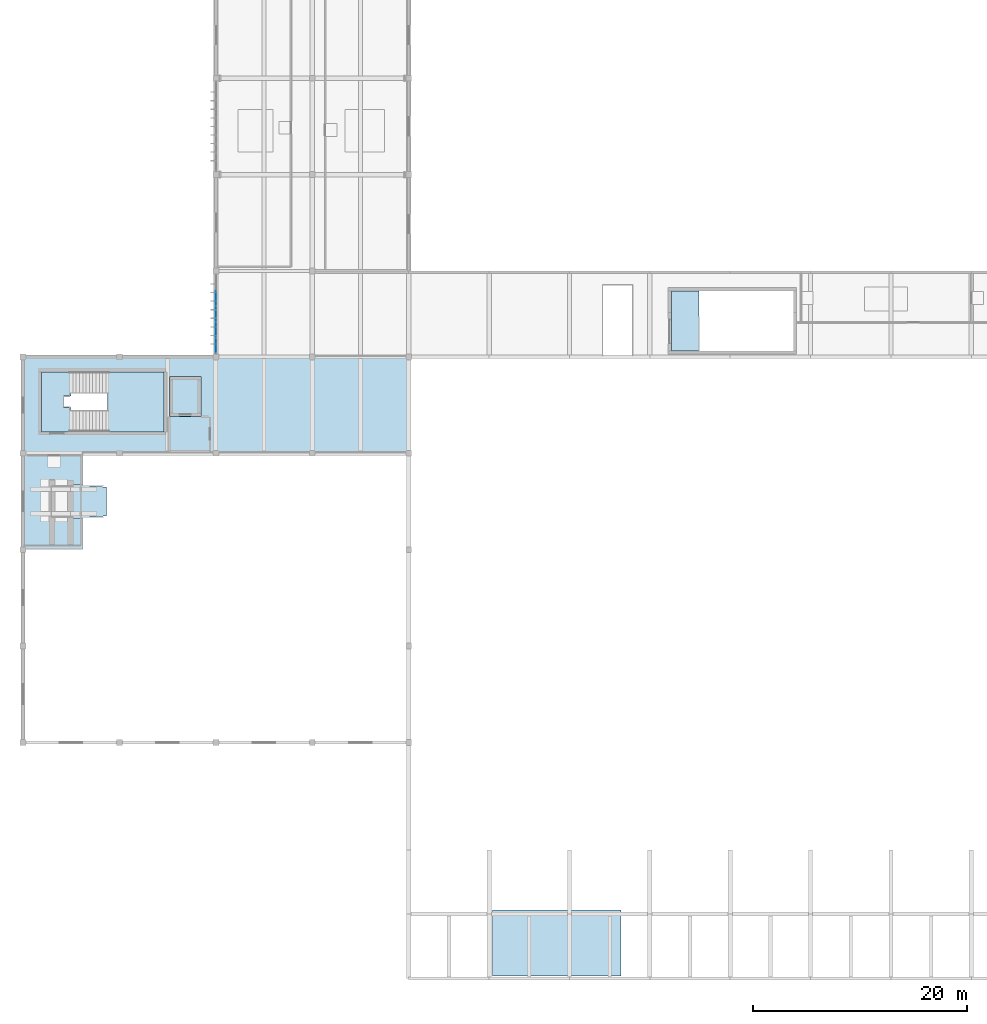
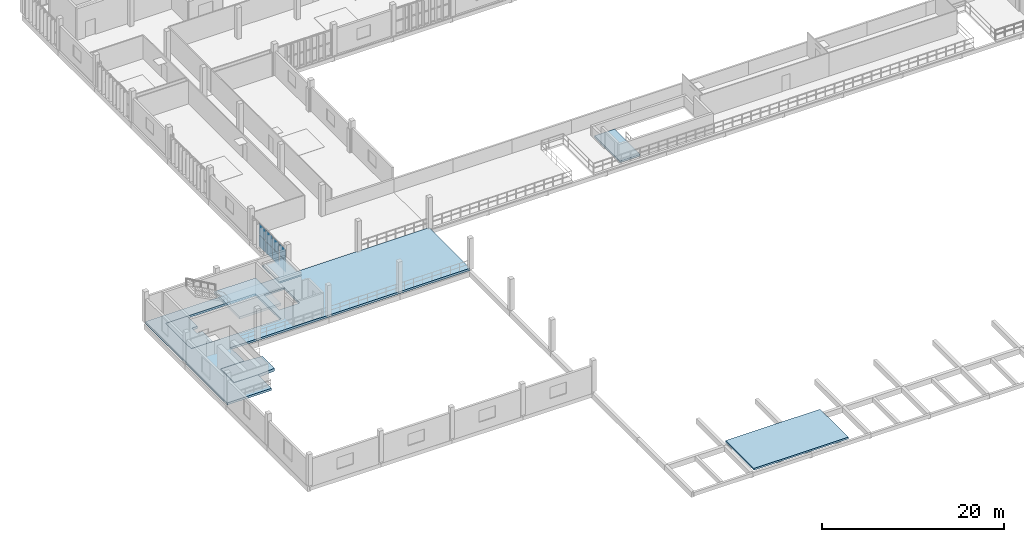
# One storey, part 32 of 61: 8 plates, 7 slabs, 2 elements without a shape of their own.
"""IFC4 building model written with IfcOpenShell, lengths in metres."""

from ifc_helpers import new_model, si_unit, direction, frame, origin, origin_2d, place, context, subcontext, project, spatial, polyline, rectangle, outline, extrude, material, layer, layer_set, type_object, element, aggregate, save


model = new_model("IFC4")

# Units and contexts
model_context = context("Model", 3, precision=1e-05, world=origin(), true_north=direction((0.0, 1.0)))
body_context = subcontext(model_context, "Body", "Model", "MODEL_VIEW")
ifc_project = project(units=[si_unit("LENGTHUNIT", "METRE"), si_unit("AREAUNIT", "SQUARE_METRE"), si_unit("VOLUMEUNIT", "CUBIC_METRE"), si_unit("PLANEANGLEUNIT", "RADIAN"), si_unit("MASSUNIT", "GRAM", prefix="KILO")], contexts=[model_context])

# Site, building, storey
site_placement = place(None, origin())
site = spatial("IfcSite", under=ifc_project, at=site_placement, CompositionType="ELEMENT")
building_placement = place(site_placement, origin())
building = spatial("IfcBuilding", under=site, at=building_placement, Name="Vourika Railside Aquatics Centre", CompositionType="ELEMENT")
storey_placement = place(building_placement, frame((0.0, 0.0, 9.300048828125)))
storey = spatial("IfcBuildingStorey", under=building, at=storey_placement, Name="L02", CompositionType="ELEMENT", Elevation=9.300048828125)

# Curtain wall, plates
ifc_material_1 = material(Name="Anodized thermally broken aluminium", Category="aluminium")
curtain_wall_type = type_object("IfcCurtainWallType", Name="CW-FIT2", PredefinedType="NOTDEFINED", material=ifc_material_1)
curtain_wall_placement = place(storey_placement, origin())
curtain_wall = element("IfcCurtainWall", 1, at=curtain_wall_placement, inside=storey, type_object=curtain_wall_type, Name="Fitness West Boulevard Curtain Wall L02-1", PredefinedType="NOTDEFINED")
ifc_material_2 = material(Name="Low-E solar-control laminated double glazing", Category="glass")
ifc_layer_1 = layer(ifc_material_2, 0.02392578125, Name="CWP-FIT2")
ifc_layer_set_1 = layer_set([ifc_layer_1], Name="Low-E solar-control laminated double glazing")
plate_type = type_object("IfcPlateType", Name="CWP-FIT2", PredefinedType="CURTAIN_PANEL", material=ifc_layer_set_1)
plate_1_placement = place(storey_placement, frame((18.0, 63.47802734375, 0.06005859375), z_axis=(0.0, 0.0, 1.0), x_axis=(0.0, -1.0, 0.0)))
plate_1 = element("IfcPlate", 2, at=plate_1_placement, type_object=plate_type, Name="CW16 panel 2.1", PredefinedType="CURTAIN_PANEL", context=body_context, shape_type="SweptSolid", body=[
    extrude(rectangle(XDim=1.41796875, YDim=0.02392578125, at=origin_2d()), origin(), (0.0, 0.0, 1.0), 1.52001953125),
])
plate_2_placement = place(storey_placement, frame((18.0, 63.47802734375, 1.639892578125), z_axis=(0.0, 0.0, 1.0), x_axis=(0.0, -1.0, 0.0)))
plate_2 = element("IfcPlate", 3, at=plate_2_placement, type_object=plate_type, Name="CW16 panel 2.2", PredefinedType="CURTAIN_PANEL", context=body_context, shape_type="SweptSolid", body=[
    extrude(rectangle(XDim=1.41796875, YDim=0.02392578125, at=origin_2d()), origin(), (0.0, 0.0, 1.0), 1.52001953125),
])
plate_3_placement = place(storey_placement, frame((18.0, 62.0, 0.06005859375), z_axis=(0.0, 0.0, 1.0), x_axis=(0.0, -1.0, 0.0)))
plate_3 = element("IfcPlate", 4, at=plate_3_placement, type_object=plate_type, Name="CW16 panel 3.1", PredefinedType="CURTAIN_PANEL", context=body_context, shape_type="SweptSolid", body=[
    extrude(rectangle(XDim=1.41796875, YDim=0.02392578125, at=origin_2d()), origin(), (0.0, 0.0, 1.0), 1.52001953125),
])
plate_4_placement = place(storey_placement, frame((18.0, 62.0, 1.639892578125), z_axis=(0.0, 0.0, 1.0), x_axis=(0.0, -1.0, 0.0)))
plate_4 = element("IfcPlate", 5, at=plate_4_placement, type_object=plate_type, Name="CW16 panel 3.2", PredefinedType="CURTAIN_PANEL", context=body_context, shape_type="SweptSolid", body=[
    extrude(rectangle(XDim=1.41796875, YDim=0.02392578125, at=origin_2d()), origin(), (0.0, 0.0, 1.0), 1.52001953125),
])
plate_5_placement = place(storey_placement, frame((18.0, 60.52197265625, 0.06005859375), z_axis=(0.0, 0.0, 1.0), x_axis=(0.0, -1.0, 0.0)))
plate_5 = element("IfcPlate", 6, at=plate_5_placement, type_object=plate_type, Name="CW16 panel 4.1", PredefinedType="CURTAIN_PANEL", context=body_context, shape_type="SweptSolid", body=[
    extrude(rectangle(XDim=1.41796875, YDim=0.02392578125, at=origin_2d()), origin(), (0.0, 0.0, 1.0), 1.52001953125),
])
plate_6_placement = place(storey_placement, frame((18.0, 60.52197265625, 1.639892578125), z_axis=(0.0, 0.0, 1.0), x_axis=(0.0, -1.0, 0.0)))
plate_6 = element("IfcPlate", 7, at=plate_6_placement, type_object=plate_type, Name="CW16 panel 4.2", PredefinedType="CURTAIN_PANEL", context=body_context, shape_type="SweptSolid", body=[
    extrude(rectangle(XDim=1.41796875, YDim=0.02392578125, at=origin_2d()), origin(), (0.0, 0.0, 1.0), 1.52001953125),
])
plate_7_placement = place(storey_placement, frame((18.0, 59.05908203125, 0.06005859375), z_axis=(0.0, 0.0, 1.0), x_axis=(0.0, -1.0, 0.0)))
plate_7 = element("IfcPlate", 8, at=plate_7_placement, type_object=plate_type, Name="CW16 panel 5.1", PredefinedType="CURTAIN_PANEL", context=body_context, shape_type="SweptSolid", body=[
    extrude(rectangle(XDim=1.387939453125, YDim=0.02392578125, at=origin_2d()), origin(), (0.0, 0.0, 1.0), 1.52001953125),
])
plate_8_placement = place(storey_placement, frame((18.0, 59.05908203125, 1.639892578125), z_axis=(0.0, 0.0, 1.0), x_axis=(0.0, -1.0, 0.0)))
plate_8 = element("IfcPlate", 9, at=plate_8_placement, type_object=plate_type, Name="CW16 panel 5.2", PredefinedType="CURTAIN_PANEL", context=body_context, shape_type="SweptSolid", body=[
    extrude(rectangle(XDim=1.387939453125, YDim=0.02392578125, at=origin_2d()), origin(), (0.0, 0.0, 1.0), 1.52001953125),
])
aggregate(curtain_wall, [plate_1, plate_2, plate_3, plate_4, plate_5, plate_6, plate_7, plate_8])

# Slabs
ifc_material_3 = material(Name="Concrete C35/45", Category="concrete")
ifc_layer_2 = layer(ifc_material_3, 0.219970703125, Name="SLB-CORE-220")
ifc_layer_set_2 = layer_set([ifc_layer_2], Name="Concrete C35/45")
slab_type_1 = type_object("IfcSlabType", Name="SLB-CORE-220", PredefinedType="FLOOR", material=ifc_layer_set_2)
slab_1_placement = place(storey_placement, frame((0.0, 0.0, -0.219970703125)))
element("IfcSlab", 10, at=slab_1_placement, inside=storey, type_object=slab_type_1, Name="Grandstand Vomitory Exit Stair ST08 L02 Vomitory Arrival Deck", PredefinedType="FLOOR", context=body_context, shape_type="SweptSolid", body=[
    extrude(outline(polyline([(60.5, 58.550048828125), (63.080078125, 58.550048828125), (63.080078125, 64.14990234375), (60.5, 64.14990234375), (60.5, 58.550048828125)])), origin(), (0.0, 0.0, 1.0), 0.219970703125),
])
ifc_layer_3 = layer(ifc_material_3, 0.31005859375, Name="SLB-CORE-310")
ifc_layer_set_3 = layer_set([ifc_layer_3], Name="Concrete C35/45")
slab_type_2 = type_object("IfcSlabType", Name="SLB-CORE-310", PredefinedType="FLOOR", material=ifc_layer_set_3)
slab_2_placement = place(storey_placement, frame((0.0, 0.0, -0.31005859375)))
element("IfcSlab", 11, at=slab_2_placement, inside=storey, type_object=slab_type_2, Name="Protected Exit Stair Core ST04 Core Floor Landing (L02)", PredefinedType="FLOOR", context=body_context, shape_type="SweptSolid", body=[
    extrude(outline(polyline([(1.75, 51.0), (4.489990234375, 51.0), (4.489990234375, 53.25), (3.800048828125, 53.25), (3.800048828125, 54.35009765625), (4.489990234375, 54.35009765625), (4.489990234375, 56.60009765625), (1.75, 56.60009765625), (1.75, 51.0)])), origin(), (0.0, 0.0, 1.0), 0.31005859375),
])
ifc_material_4 = material(Name="Concrete C40/50", Category="concrete")
ifc_layer_4 = layer(ifc_material_4, 0.3701171875, Name="SLB-DP-370")
ifc_layer_set_4 = layer_set([ifc_layer_4], Name="Concrete C40/50")
slab_type_3 = type_object("IfcSlabType", Name="SLB-DP-370", PredefinedType="USERDEFINED", material=ifc_layer_set_4)
slab_3_placement = place(storey_placement, frame((0.0, 0.0, -0.3701171875)))
element("IfcSlab", 12, at=slab_3_placement, inside=storey, type_object=slab_type_3, Name="Diving Platform 10.0 m", ObjectType="DIVING PLATFORM", PredefinedType="USERDEFINED", context=body_context, shape_type="SweptSolid", body=[
    extrude(outline(polyline([(2.60009765625, 43.0), (5.800048828125, 43.0), (7.800048828125, 43.14990234375), (7.800048828125, 45.85009765625), (5.800048828125, 46.0), (2.60009765625, 46.0), (2.60009765625, 43.0)])), origin(), (0.0, 0.0, 1.0), 0.3701171875),
])
ifc_layer_5 = layer(ifc_material_3, 0.280029296875, Name="SLB-FLOOR-280")
ifc_layer_set_5 = layer_set([ifc_layer_5], Name="Concrete C35/45")
slab_type_4 = type_object("IfcSlabType", Name="SLB-FLOOR-280", PredefinedType="FLOOR", material=ifc_layer_set_5)
slab_4_placement = place(storey_placement, frame((0.0, 0.0, -0.280029296875)))
element("IfcSlab", 13, at=slab_4_placement, inside=storey, type_object=slab_type_4, Name="L02 Floor Slab (v2_gal10m)", PredefinedType="FLOOR", context=body_context, shape_type="SweptSolid", body=[
    extrude(outline(polyline([(0.0, 49.0), (0.0, 58.0), (36.0, 58.0), (36.0, 49.0), (5.60009765625, 49.0), (5.60009765625, 46.02001953125), (2.580078125, 46.02001953125), (2.580078125, 42.97998046875), (5.60009765625, 42.97998046875), (5.60009765625, 40.0), (0.0, 40.0), (0.0, 49.0)]), holes=[polyline([(1.75, 56.60009765625), (1.75, 51.0), (13.14990234375, 51.0), (13.14990234375, 56.60009765625), (1.75, 56.60009765625)]), polyline([(13.85009765625, 56.0), (13.85009765625, 52.60009765625), (16.449951171875, 52.60009765625), (16.449951171875, 56.0), (13.85009765625, 56.0)])]), origin(), (0.0, 0.0, 1.0), 0.280029296875),
])

# Stair, slab
stair_type = type_object("IfcStairType", Name="STR-CORE-L02", PredefinedType="TWO_STRAIGHT_RUN_STAIR", material=ifc_material_3)
stair_placement = place(storey_placement, origin())
stair = element("IfcStair", 14, at=stair_placement, inside=storey, type_object=stair_type, Name="Protected Exit Stair Core ST04 (L02)", PredefinedType="TWO_STRAIGHT_RUN_STAIR")
ifc_layer_6 = layer(ifc_material_3, 0.31005859375, Name="SLB-LND-310")
ifc_layer_set_6 = layer_set([ifc_layer_6], Name="Concrete C35/45")
slab_type_5 = type_object("IfcSlabType", Name="SLB-LND-310", PredefinedType="LANDING", material=ifc_layer_set_6)
slab_5_placement = place(storey_placement, frame((0.0, 0.0, 1.7900390625)))
slab_5 = element("IfcSlab", 15, at=slab_5_placement, type_object=slab_type_5, Name="STC-L02 landing 1", PredefinedType="LANDING", context=body_context, shape_type="SweptSolid", body=[
    extrude(outline(polyline([(7.906005859375, 51.0), (13.14990234375, 51.0), (13.14990234375, 56.60009765625), (7.906005859375, 56.60009765625), (7.906005859375, 51.0)])), origin(), (0.0, 0.0, 1.0), 0.309814453125),
])
aggregate(stair, [slab_5])

# Slabs
ifc_layer_7 = layer(ifc_material_3, 0.22998046875, Name="SLB-ROOF-EAV230")
ifc_layer_set_7 = layer_set([ifc_layer_7], Name="Concrete C35/45")
slab_type_6 = type_object("IfcSlabType", Name="SLB-ROOF-EAV230", PredefinedType="ROOF", material=ifc_layer_set_7)
slab_6_placement = place(storey_placement, frame((0.0, 0.0, -0.22998046875)))
element("IfcSlab", 16, at=slab_6_placement, inside=storey, type_object=slab_type_6, Name="Protected Exit Stair Core ST11 Shaft Roof Slab", PredefinedType="ROOF", context=body_context, shape_type="SweptSolid", body=[
    extrude(outline(polyline([(43.800048828125, 0.199951171875), (55.800048828125, 0.199951171875), (55.800048828125, 6.39990234375), (43.800048828125, 6.39990234375), (43.800048828125, 0.199951171875)])), origin(), (0.0, 0.0, 1.0), 0.22998046875),
])
ifc_layer_8 = layer(ifc_material_4, 0.22998046875, Name="SLB-SHCAP-230")
ifc_layer_set_8 = layer_set([ifc_layer_8], Name="Concrete C40/50")
slab_type_7 = type_object("IfcSlabType", Name="SLB-SHCAP-230", PredefinedType="ROOF", material=ifc_layer_set_8)
slab_7_placement = place(storey_placement, frame((0.0, 0.0, 3.64990234375)))
element("IfcSlab", 17, at=slab_7_placement, inside=storey, type_object=slab_type_7, Name="Lift LP02 Overrun Cap Slab", PredefinedType="ROOF", context=body_context, shape_type="SweptSolid", body=[
    extrude(outline(polyline([(13.699951171875, 52.449951171875), (16.60009765625, 52.449951171875), (16.60009765625, 56.14990234375), (13.699951171875, 56.14990234375), (13.699951171875, 52.449951171875)])), origin(), (0.0, 0.0, 1.0), 0.22998046875),
])

save(model, "model.ifc")
